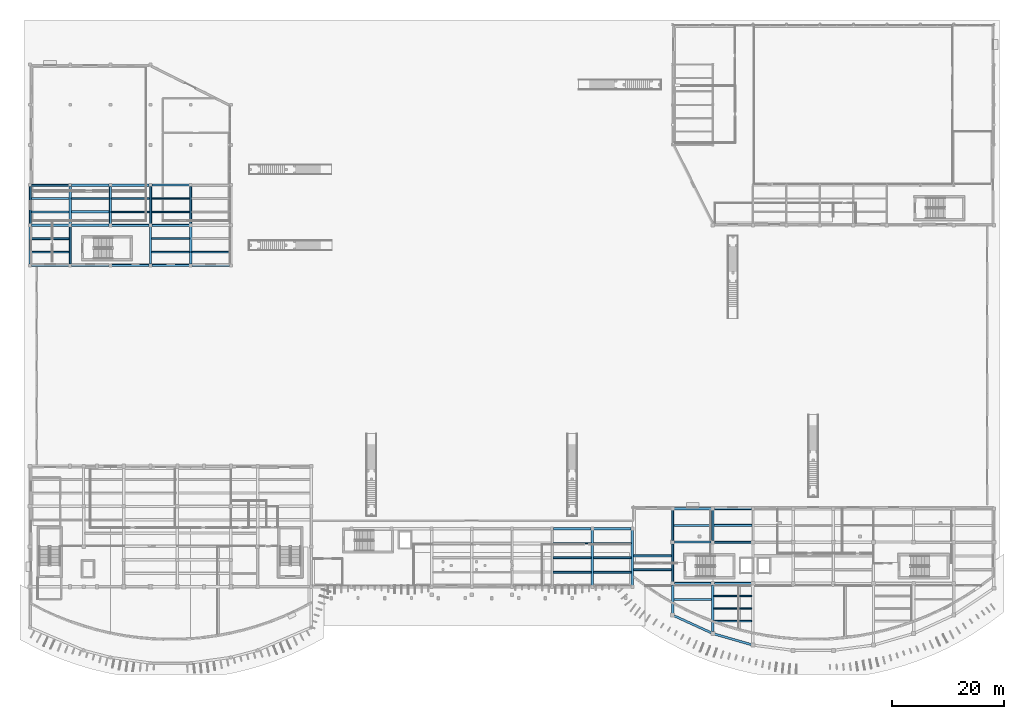
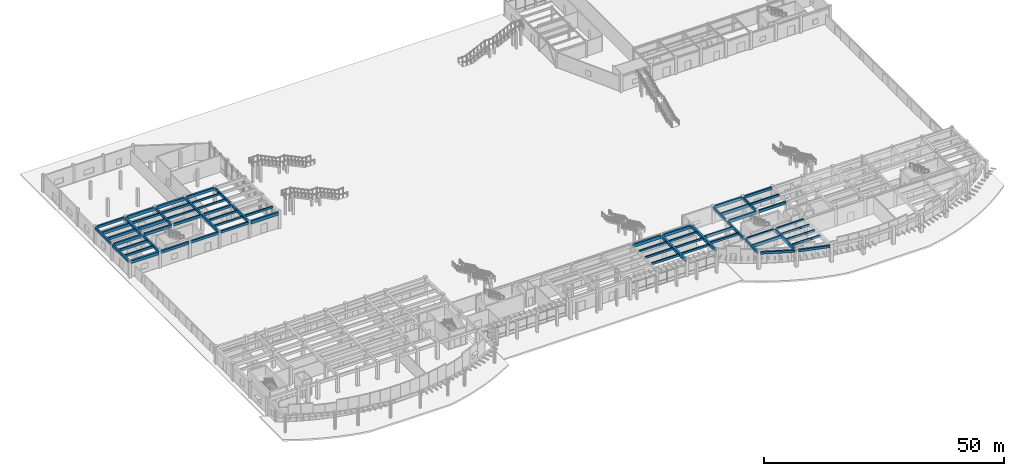
# One storey, part 14 of 58: 66 beams.
"""IFC4 building model written with IfcOpenShell, lengths in metres."""

from ifc_helpers import new_model, si_unit, direction, frame, origin, origin_2d, place, context, subcontext, project, spatial, rectangle, extrude, material, material_profile, profile_set, type_object, element, save


model = new_model("IFC4")

# Units and contexts
model_context = context("Model", 3, precision=1e-05, world=origin(), true_north=direction((0.0, 1.0)))
body_context = subcontext(model_context, "Body", "Model", "MODEL_VIEW")
ifc_project = project(units=[si_unit("LENGTHUNIT", "METRE"), si_unit("AREAUNIT", "SQUARE_METRE"), si_unit("VOLUMEUNIT", "CUBIC_METRE"), si_unit("PLANEANGLEUNIT", "RADIAN"), si_unit("MASSUNIT", "GRAM", prefix="KILO")], contexts=[model_context])

# Site, building, storey
site_placement = place(None, origin())
site = spatial("IfcSite", under=ifc_project, at=site_placement, CompositionType="ELEMENT")
building_placement = place(site_placement, origin())
building = spatial("IfcBuilding", under=site, at=building_placement, Name="Brisavento Harbour Community Centre", CompositionType="ELEMENT")
storey_placement = place(building_placement, origin())
storey = spatial("IfcBuildingStorey", under=building, at=storey_placement, Name="L00", CompositionType="ELEMENT", Elevation=0.0)

# Beams
ifc_material = material(Name="Concrete C35/45", Category="concrete")
ifc_material_profile_1 = material_profile(ifc_material, rectangle(XDim=0.25, YDim=0.449951171875, at=origin_2d()), Name="Concrete C35/45")
ifc_profile_set_1 = profile_set([ifc_material_profile_1], Name="Concrete C35/45")
beam_type_1 = type_object("IfcBeamType", Name="BM-JST-250x450", PredefinedType="JOIST", material=ifc_profile_set_1)
for number, where, z_axis, x_axis, name in (
    (1, (21.800048828125, 74.39990234375, 4.014892578125), (1.0, 0.0, 0.0), (0.0, 1.0, 0.0), "L00 secondary floor joist 0145"),
    (2, (93.77490234375, 22.199951171875, 4.014892578125), (1.0, 0.0, 0.0), (0.0, 1.0, 0.0), "L00 secondary floor joist 0178"),
):
    element("IfcBeam", number, at=place(storey_placement, frame(where, z_axis=z_axis, x_axis=x_axis)), inside=storey, type_object=beam_type_1, Name=name, PredefinedType="JOIST", context=body_context, shape_type="SweptSolid", body=[
        extrude(rectangle(XDim=0.25, YDim=0.449951171875, at=origin_2d()), origin(), (0.0, 0.0, 1.0), 6.800048828125),
    ])
ifc_material_profile_2 = material_profile(ifc_material, rectangle(XDim=0.260009765625, YDim=0.4599609375, at=origin_2d()), Name="Concrete C35/45")
ifc_profile_set_2 = profile_set([ifc_material_profile_2], Name="Concrete C35/45")
beam_type_2 = type_object("IfcBeamType", Name="BM-JST-260x460", PredefinedType="JOIST", material=ifc_profile_set_2)
for number, where, z_axis, x_axis, name in (
    (3, (14.574951171875, 81.60009765625, 4.010009765625), (1.0, 0.0, 0.0), (0.0, 1.0, 0.0), "L00 secondary floor joist 0137"),
    (4, (21.77490234375, 84.0, 4.010009765625), (1.0, 0.0, 0.0), (0.0, 1.0, 0.0), "L00 secondary floor joist 0148"),
):
    element("IfcBeam", number, at=place(storey_placement, frame(where, z_axis=z_axis, x_axis=x_axis)), inside=storey, type_object=beam_type_2, Name=name, PredefinedType="JOIST", context=body_context, shape_type="SweptSolid", body=[
        extrude(rectangle(XDim=0.260009765625, YDim=0.4599609375, at=origin_2d()), origin(), (0.0, 0.0, 1.0), 6.85009765625),
    ])
beam_1_placement = place(storey_placement, frame((101.02490234375, 22.199951171875, 4.010009765625), z_axis=(1.0, 0.0, 0.0), x_axis=(0.0, 1.0, 0.0)))
element("IfcBeam", 5, at=beam_1_placement, inside=storey, type_object=beam_type_2, Name="L00 secondary floor joist 0181", PredefinedType="JOIST", context=body_context, shape_type="SweptSolid", body=[
    extrude(rectangle(XDim=0.260009765625, YDim=0.4599609375, at=origin_2d()), origin(), (0.0, 0.0, 1.0), 6.75),
])
beam_2_placement = place(storey_placement, frame((122.60009765625, 12.75390625, 4.010009765625), z_axis=(1.0, 0.0, 0.0), x_axis=(0.0, 1.0, 0.0)))
element("IfcBeam", 6, at=beam_2_placement, inside=storey, type_object=beam_type_2, Name="L00 secondary floor joist 0192", PredefinedType="JOIST", context=body_context, shape_type="SweptSolid", body=[
    extrude(rectangle(XDim=0.260009765625, YDim=0.4599609375, at=origin_2d()), origin(), (0.0, 0.0, 1.0), 6.77490234375),
])
ifc_material_profile_3 = material_profile(ifc_material, rectangle(XDim=0.280029296875, YDim=0.47998046875, at=origin_2d()), Name="Concrete C35/45")
ifc_profile_set_3 = profile_set([ifc_material_profile_3], Name="Concrete C35/45")
beam_type_3 = type_object("IfcBeamType", Name="BM-JST-280x480", PredefinedType="JOIST", material=ifc_profile_set_3)
beam_3_placement = place(storey_placement, frame((21.77490234375, 81.60009765625, 4.0), z_axis=(1.0, 0.0, 0.0), x_axis=(0.0, 1.0, 0.0)))
element("IfcBeam", 7, at=beam_3_placement, inside=storey, type_object=beam_type_3, Name="L00 secondary floor joist 0147", PredefinedType="JOIST", context=body_context, shape_type="SweptSolid", body=[
    extrude(rectangle(XDim=0.280029296875, YDim=0.47998046875, at=origin_2d()), origin(), (0.0, 0.0, 1.0), 6.85009765625),
])
beam_4_placement = place(storey_placement, frame((101.02490234375, 19.60009765625, 4.0), z_axis=(1.0, 0.0, 0.0), x_axis=(0.0, 1.0, 0.0)))
element("IfcBeam", 8, at=beam_4_placement, inside=storey, type_object=beam_type_3, Name="L00 secondary floor joist 0180", PredefinedType="JOIST", context=body_context, shape_type="SweptSolid", body=[
    extrude(rectangle(XDim=0.280029296875, YDim=0.47998046875, at=origin_2d()), origin(), (0.0, 0.0, 1.0), 6.75),
])
beam_5_placement = place(storey_placement, frame((122.60009765625, 10.507568359375, 4.0), z_axis=(1.0, 0.0, 0.0), x_axis=(0.0, 1.0, 0.0)))
element("IfcBeam", 9, at=beam_5_placement, inside=storey, type_object=beam_type_3, Name="L00 secondary floor joist 0191", PredefinedType="JOIST", context=body_context, shape_type="SweptSolid", body=[
    extrude(rectangle(XDim=0.280029296875, YDim=0.47998046875, at=origin_2d()), origin(), (0.0, 0.0, 1.0), 6.77490234375),
])
ifc_material_profile_4 = material_profile(ifc_material, rectangle(XDim=0.280029296875, YDim=0.52001953125, at=origin_2d()), Name="Concrete C35/45")
ifc_profile_set_4 = profile_set([ifc_material_profile_4], Name="Concrete C35/45")
beam_type_4 = type_object("IfcBeamType", Name="BM-JST-280x520", PredefinedType="JOIST", material=ifc_profile_set_4)
beam_6_placement = place(storey_placement, frame((21.800048828125, 76.800048828125, 3.97998046875), z_axis=(1.0, 0.0, 0.0), x_axis=(0.0, 1.0, 0.0)))
element("IfcBeam", 10, at=beam_6_placement, inside=storey, type_object=beam_type_4, Name="L00 secondary floor joist 0146", PredefinedType="JOIST", context=body_context, shape_type="SweptSolid", body=[
    extrude(rectangle(XDim=0.280029296875, YDim=0.52001953125, at=origin_2d()), origin(), (0.0, 0.0, 1.0), 6.800048828125),
])
beam_7_placement = place(storey_placement, frame((101.02490234375, 17.0, 3.97998046875), z_axis=(1.0, 0.0, 0.0), x_axis=(0.0, 1.0, 0.0)))
element("IfcBeam", 11, at=beam_7_placement, inside=storey, type_object=beam_type_4, Name="L00 secondary floor joist 0179", PredefinedType="JOIST", context=body_context, shape_type="SweptSolid", body=[
    extrude(rectangle(XDim=0.280029296875, YDim=0.52001953125, at=origin_2d()), origin(), (0.0, 0.0, 1.0), 6.75),
])
beam_8_placement = place(storey_placement, frame((122.60009765625, 8.26123046875, 3.97998046875), z_axis=(1.0, 0.0, 0.0), x_axis=(0.0, 1.0, 0.0)))
element("IfcBeam", 12, at=beam_8_placement, inside=storey, type_object=beam_type_4, Name="L00 secondary floor joist 0190", PredefinedType="JOIST", context=body_context, shape_type="SweptSolid", body=[
    extrude(rectangle(XDim=0.280029296875, YDim=0.52001953125, at=origin_2d()), origin(), (0.0, 0.0, 1.0), 6.77490234375),
])
ifc_material_profile_5 = material_profile(ifc_material, rectangle(XDim=0.300048828125, YDim=0.5, at=origin_2d()), Name="Concrete C35/45")
ifc_profile_set_5 = profile_set([ifc_material_profile_5], Name="Concrete C35/45")
beam_type_5 = type_object("IfcBeamType", Name="BM-JST-300x500", PredefinedType="JOIST", material=ifc_profile_set_5)
for number, where, z_axis, x_axis, name in (
    (13, (29.0, 74.39990234375, 3.989990234375), (1.0, 0.0, 0.0), (0.0, 1.0, 0.0), "L00 secondary floor joist 0155"),
    (14, (93.77490234375, 19.60009765625, 3.989990234375), (1.0, 0.0, 0.0), (0.0, 1.0, 0.0), "L00 secondary floor joist 0177"),
):
    element("IfcBeam", number, at=place(storey_placement, frame(where, z_axis=z_axis, x_axis=x_axis)), inside=storey, type_object=beam_type_5, Name=name, PredefinedType="JOIST", context=body_context, shape_type="SweptSolid", body=[
        extrude(rectangle(XDim=0.300048828125, YDim=0.5, at=origin_2d()), origin(), (0.0, 0.0, 1.0), 6.800048828125),
    ])
ifc_material_profile_6 = material_profile(ifc_material, rectangle(XDim=0.300048828125, YDim=0.550048828125, at=origin_2d()), Name="Concrete C35/45")
ifc_profile_set_6 = profile_set([ifc_material_profile_6], Name="Concrete C35/45")
beam_type_6 = type_object("IfcBeamType", Name="BM-JST-300x550", PredefinedType="JOIST", material=ifc_profile_set_6)
for number, where, z_axis, x_axis, name in (
    (15, (7.425048828125, 84.0, 3.965087890625), (1.0, 0.0, 0.0), (0.0, 1.0, 0.0), "L00 secondary floor joist 0132"),
    (16, (93.77490234375, 17.0, 3.965087890625), (1.0, 0.0, 0.0), (0.0, 1.0, 0.0), "L00 secondary floor joist 0176"),
):
    element("IfcBeam", number, at=place(storey_placement, frame(where, z_axis=z_axis, x_axis=x_axis)), inside=storey, type_object=beam_type_6, Name=name, PredefinedType="JOIST", context=body_context, shape_type="SweptSolid", body=[
        extrude(rectangle(XDim=0.300048828125, YDim=0.550048828125, at=origin_2d()), origin(), (0.0, 0.0, 1.0), 6.800048828125),
    ])
ifc_material_profile_7 = material_profile(ifc_material, rectangle(XDim=0.320068359375, YDim=0.56005859375, at=origin_2d()), Name="Concrete C35/45")
ifc_profile_set_7 = profile_set([ifc_material_profile_7], Name="Concrete C35/45")
beam_type_7 = type_object("IfcBeamType", Name="BM-JST-320x560", PredefinedType="JOIST", material=ifc_profile_set_7)
beam_9_placement = place(storey_placement, frame((0.199951171875, 74.39990234375, 3.9599609375), z_axis=(1.0, 0.0, 0.0), x_axis=(0.0, 1.0, 0.0)))
element("IfcBeam", 17, at=beam_9_placement, inside=storey, type_object=beam_type_7, Name="L00 secondary floor joist 0127", PredefinedType="JOIST", context=body_context, shape_type="SweptSolid", body=[
    extrude(rectangle(XDim=0.320068359375, YDim=0.56005859375, at=origin_2d()), origin(), (0.0, 0.0, 1.0), 6.824951171875),
])
beam_10_placement = place(storey_placement, frame((14.574951171875, 84.0, 3.9599609375), z_axis=(1.0, 0.0, 0.0), x_axis=(0.0, 1.0, 0.0)))
element("IfcBeam", 18, at=beam_10_placement, inside=storey, type_object=beam_type_7, Name="L00 secondary floor joist 0138", PredefinedType="JOIST", context=body_context, shape_type="SweptSolid", body=[
    extrude(rectangle(XDim=0.320068359375, YDim=0.56005859375, at=origin_2d()), origin(), (0.0, 0.0, 1.0), 6.85009765625),
])
beam_11_placement = place(storey_placement, frame((108.22509765625, 17.466796875, 3.9599609375), z_axis=(1.0, 0.0, 0.0), x_axis=(0.0, 1.0, 0.0)))
element("IfcBeam", 19, at=beam_11_placement, inside=storey, type_object=beam_type_7, Name="L00 secondary floor joist 0182", PredefinedType="JOIST", context=body_context, shape_type="SweptSolid", body=[
    extrude(rectangle(XDim=0.320068359375, YDim=0.56005859375, at=origin_2d()), origin(), (0.0, 0.0, 1.0), 6.7998046875),
])
beam_12_placement = place(storey_placement, frame((122.574951171875, 25.39990234375, 3.9599609375), z_axis=(1.0, 0.0, 0.0), x_axis=(0.0, 1.0, 0.0)))
element("IfcBeam", 20, at=beam_12_placement, inside=storey, type_object=beam_type_7, Name="L00 secondary floor joist 0193", PredefinedType="JOIST", context=body_context, shape_type="SweptSolid", body=[
    extrude(rectangle(XDim=0.320068359375, YDim=0.56005859375, at=origin_2d()), origin(), (0.0, 0.0, 1.0), 6.85009765625),
])
ifc_material_profile_8 = material_profile(ifc_material, rectangle(XDim=0.320068359375, YDim=0.6201171875, at=origin_2d()), Name="Concrete C35/45")
ifc_profile_set_8 = profile_set([ifc_material_profile_8], Name="Concrete C35/45")
beam_type_8 = type_object("IfcBeamType", Name="BM-JST-320x620", PredefinedType="JOIST", material=ifc_profile_set_8)
beam_13_placement = place(storey_placement, frame((0.199951171875, 76.800048828125, 3.929931640625), z_axis=(1.0, 0.0, 0.0), x_axis=(0.0, 1.0, 0.0)))
element("IfcBeam", 21, at=beam_13_placement, inside=storey, type_object=beam_type_8, Name="L00 secondary floor joist 0128", PredefinedType="JOIST", context=body_context, shape_type="SweptSolid", body=[
    extrude(rectangle(XDim=0.320068359375, YDim=0.6201171875, at=origin_2d()), origin(), (0.0, 0.0, 1.0), 6.824951171875),
])
beam_14_placement = place(storey_placement, frame((108.22509765625, 19.933349609375, 3.929931640625), z_axis=(1.0, 0.0, 0.0), x_axis=(0.0, 1.0, 0.0)))
element("IfcBeam", 22, at=beam_14_placement, inside=storey, type_object=beam_type_8, Name="L00 secondary floor joist 0183", PredefinedType="JOIST", context=body_context, shape_type="SweptSolid", body=[
    extrude(rectangle(XDim=0.320068359375, YDim=0.6201171875, at=origin_2d()), origin(), (0.0, 0.0, 1.0), 6.7998046875),
])
ifc_material_profile_9 = material_profile(ifc_material, rectangle(XDim=0.360107421875, YDim=0.679931640625, at=origin_2d()), Name="Concrete C35/45")
ifc_profile_set_9 = profile_set([ifc_material_profile_9], Name="Concrete C35/45")
beam_type_9 = type_object("IfcBeamType", Name="BM-JST-360x680", PredefinedType="JOIST", material=ifc_profile_set_9)
for number, where, z_axis, x_axis, name in (
    (23, (0.175048828125, 81.60009765625, 3.89990234375), (1.0, 0.0, 0.0), (0.0, 1.0, 0.0), "L00 secondary floor joist 0129"),
    (24, (115.39990234375, 12.156982421875, 3.89990234375), (1.0, 0.0, 0.0), (0.0, 1.0, 0.0), "L00 secondary floor joist 0184"),
):
    element("IfcBeam", number, at=place(storey_placement, frame(where, z_axis=z_axis, x_axis=x_axis)), inside=storey, type_object=beam_type_9, Name=name, PredefinedType="JOIST", context=body_context, shape_type="SweptSolid", body=[
        extrude(rectangle(XDim=0.360107421875, YDim=0.679931640625, at=origin_2d()), origin(), (0.0, 0.0, 1.0), 6.800048828125),
    ])
ifc_material_profile_10 = material_profile(ifc_material, rectangle(XDim=0.3798828125, YDim=0.719970703125, at=origin_2d()), Name="Concrete C35/45")
ifc_profile_set_10 = profile_set([ifc_material_profile_10], Name="Concrete C35/45")
beam_type_10 = type_object("IfcBeamType", Name="BM-JST-380x720", PredefinedType="JOIST", material=ifc_profile_set_10)
beam_15_placement = place(storey_placement, frame((0.175048828125, 84.0, 3.8798828125), z_axis=(1.0, 0.0, 0.0), x_axis=(0.0, 1.0, 0.0)))
element("IfcBeam", 25, at=beam_15_placement, inside=storey, type_object=beam_type_10, Name="L00 secondary floor joist 0130", PredefinedType="JOIST", context=body_context, shape_type="SweptSolid", body=[
    extrude(rectangle(XDim=0.3798828125, YDim=0.719970703125, at=origin_2d()), origin(), (0.0, 0.0, 1.0), 6.800048828125),
])
beam_16_placement = place(storey_placement, frame((115.375, 25.39990234375, 3.8798828125), z_axis=(1.0, 0.0, 0.0), x_axis=(0.0, 1.0, 0.0)))
element("IfcBeam", 26, at=beam_16_placement, inside=storey, type_object=beam_type_10, Name="L00 secondary floor joist 0185", PredefinedType="JOIST", context=body_context, shape_type="SweptSolid", body=[
    extrude(rectangle(XDim=0.3798828125, YDim=0.719970703125, at=origin_2d()), origin(), (0.0, 0.0, 1.0), 6.85009765625),
])
ifc_material_profile_11 = material_profile(ifc_material, rectangle(XDim=0.419921875, YDim=0.760009765625, at=origin_2d()), Name="Concrete C35/45")
ifc_profile_set_11 = profile_set([ifc_material_profile_11], Name="Concrete C35/45")
beam_type_11 = type_object("IfcBeamType", Name="BM-JST-420x760", PredefinedType="JOIST", material=ifc_profile_set_11)
beam_17_placement = place(storey_placement, frame((7.425048828125, 81.60009765625, 3.860107421875), z_axis=(1.0, 0.0, 0.0), x_axis=(0.0, 1.0, 0.0)))
element("IfcBeam", 27, at=beam_17_placement, inside=storey, type_object=beam_type_11, Name="L00 secondary floor joist 0131", PredefinedType="JOIST", context=body_context, shape_type="SweptSolid", body=[
    extrude(rectangle(XDim=0.419921875, YDim=0.760009765625, at=origin_2d()), origin(), (0.0, 0.0, 1.0), 6.800048828125),
])
ifc_material_profile_12 = material_profile(ifc_material, rectangle(XDim=0.35009765625, YDim=0.60009765625, at=origin_2d()), Name="Concrete C35/45")
ifc_profile_set_12 = profile_set([ifc_material_profile_12], Name="Concrete C35/45")
beam_type_12 = type_object("IfcBeamType", Name="BM-RC-350x600", PredefinedType="BEAM", material=ifc_profile_set_12)
beam_18_placement = place(storey_placement, frame((122.695068359375, 15.0, 3.93994140625), z_axis=(1.0, 0.0, 0.0), x_axis=(0.0, 1.0, 0.0)))
element("IfcBeam", 28, at=beam_18_placement, inside=storey, type_object=beam_type_12, Name="L00 primary girder X0244", PredefinedType="BEAM", context=body_context, shape_type="SweptSolid", body=[
    extrude(rectangle(XDim=0.35009765625, YDim=0.60009765625, at=origin_2d()), origin(), (0.0, 0.0, 1.0), 6.60986328125),
])
for number, where, z_axis, x_axis, name in (
    (29, (21.844970703125, 72.0, 3.93994140625), (1.0, 0.0, 0.0), (0.0, 1.0, 0.0), "L00 primary girder X0294"),
    (30, (21.844970703125, 79.199951171875, 3.93994140625), (1.0, 0.0, 0.0), (0.0, 1.0, 0.0), "L00 primary girder X0299"),
    (31, (0.2451171875, 86.39990234375, 3.93994140625), (1.0, 0.0, 0.0), (0.0, 1.0, 0.0), "L00 primary girder X0309"),
    (32, (7.199951171875, 72.2451171875, 3.93994140625), (0.0, 1.0, 0.0), (-1.0, 0.0, 0.0), "L00 primary girder Y0329"),
):
    element("IfcBeam", number, at=place(storey_placement, frame(where, z_axis=z_axis, x_axis=x_axis)), inside=storey, type_object=beam_type_12, Name=name, PredefinedType="BEAM", context=body_context, shape_type="SweptSolid", body=[
        extrude(rectangle(XDim=0.35009765625, YDim=0.60009765625, at=origin_2d()), origin(), (0.0, 0.0, 1.0), 6.7099609375),
    ])
beam_19_placement = place(storey_placement, frame((115.199951171875, 22.695068359375, 3.93994140625), z_axis=(0.0, 1.0, 0.0), x_axis=(-1.0, 0.0, 0.0)))
element("IfcBeam", 33, at=beam_19_placement, inside=storey, type_object=beam_type_12, Name="L00 primary girder Y0364", PredefinedType="BEAM", context=body_context, shape_type="SweptSolid", body=[
    extrude(rectangle(XDim=0.35009765625, YDim=0.60009765625, at=origin_2d()), origin(), (0.0, 0.0, 1.0), 5.434814453125),
])
ifc_material_profile_13 = material_profile(ifc_material, rectangle(XDim=0.35009765625, YDim=0.64990234375, at=origin_2d()), Name="Concrete C35/45")
ifc_profile_set_13 = profile_set([ifc_material_profile_13], Name="Concrete C35/45")
beam_type_13 = type_object("IfcBeamType", Name="BM-RC-350x650", PredefinedType="BEAM", material=ifc_profile_set_13)
for number, where, z_axis, x_axis, name in (
    (34, (115.4951171875, 15.0, 3.9150390625), (1.0, 0.0, 0.0), (0.0, 1.0, 0.0), "L00 primary girder X0243"),
    (35, (122.695068359375, 22.39990234375, 3.9150390625), (1.0, 0.0, 0.0), (0.0, 1.0, 0.0), "L00 primary girder X0253"),
):
    element("IfcBeam", number, at=place(storey_placement, frame(where, z_axis=z_axis, x_axis=x_axis)), inside=storey, type_object=beam_type_13, Name=name, PredefinedType="BEAM", context=body_context, shape_type="SweptSolid", body=[
        extrude(rectangle(XDim=0.35009765625, YDim=0.64990234375, at=origin_2d()), origin(), (0.0, 0.0, 1.0), 6.60986328125),
    ])
beam_20_placement = place(storey_placement, frame((122.669921875, 28.39990234375, 3.9150390625), z_axis=(1.0, 0.0, 0.0), x_axis=(0.0, 1.0, 0.0)))
element("IfcBeam", 36, at=beam_20_placement, inside=storey, type_object=beam_type_13, Name="L00 primary girder X0268", PredefinedType="BEAM", context=body_context, shape_type="SweptSolid", body=[
    extrude(rectangle(XDim=0.35009765625, YDim=0.64990234375, at=origin_2d()), origin(), (0.0, 0.0, 1.0), 6.66015625),
])
for number, where, z_axis, x_axis, name in (
    (37, (14.64501953125, 72.0, 3.9150390625), (1.0, 0.0, 0.0), (0.0, 1.0, 0.0), "L00 primary girder X0293"),
    (38, (14.64501953125, 79.199951171875, 3.9150390625), (1.0, 0.0, 0.0), (0.0, 1.0, 0.0), "L00 primary girder X0298"),
    (39, (0.0, 79.445068359375, 3.9150390625), (0.0, 1.0, 0.0), (-1.0, 0.0, 0.0), "L00 primary girder Y0328"),
    (40, (14.39990234375, 79.445068359375, 3.9150390625), (0.0, 1.0, 0.0), (-1.0, 0.0, 0.0), "L00 primary girder Y0333"),
    (41, (21.60009765625, 79.445068359375, 3.9150390625), (0.0, 1.0, 0.0), (-1.0, 0.0, 0.0), "L00 primary girder Y0338"),
    (42, (28.800048828125, 79.445068359375, 3.9150390625), (0.0, 1.0, 0.0), (-1.0, 0.0, 0.0), "L00 primary girder Y0343"),
):
    element("IfcBeam", number, at=place(storey_placement, frame(where, z_axis=z_axis, x_axis=x_axis)), inside=storey, type_object=beam_type_13, Name=name, PredefinedType="BEAM", context=body_context, shape_type="SweptSolid", body=[
        extrude(rectangle(XDim=0.35009765625, YDim=0.64990234375, at=origin_2d()), origin(), (0.0, 0.0, 1.0), 6.7099609375),
    ])
beam_21_placement = place(storey_placement, frame((115.199951171875, 15.294921875, 3.9150390625), z_axis=(0.0, 1.0, 0.0), x_axis=(-1.0, 0.0, 0.0)))
element("IfcBeam", 43, at=beam_21_placement, inside=storey, type_object=beam_type_13, Name="L00 primary girder Y0363", PredefinedType="BEAM", context=body_context, shape_type="SweptSolid", body=[
    extrude(rectangle(XDim=0.35009765625, YDim=0.64990234375, at=origin_2d()), origin(), (0.0, 0.0, 1.0), 6.81005859375),
])
beam_22_placement = place(storey_placement, frame((122.39990234375, 22.695068359375, 3.9150390625), z_axis=(0.0, 1.0, 0.0), x_axis=(-1.0, 0.0, 0.0)))
element("IfcBeam", 44, at=beam_22_placement, inside=storey, type_object=beam_type_13, Name="L00 primary girder Y0368", PredefinedType="BEAM", context=body_context, shape_type="SweptSolid", body=[
    extrude(rectangle(XDim=0.35009765625, YDim=0.64990234375, at=origin_2d()), origin(), (0.0, 0.0, 1.0), 5.434814453125),
])
ifc_material_profile_14 = material_profile(ifc_material, rectangle(XDim=0.39990234375, YDim=0.699951171875, at=origin_2d()), Name="Concrete C35/45")
ifc_profile_set_14 = profile_set([ifc_material_profile_14], Name="Concrete C35/45")
beam_type_14 = type_object("IfcBeamType", Name="BM-RC-400x700", PredefinedType="BEAM", material=ifc_profile_set_14)
beam_23_placement = place(storey_placement, frame((115.4951171875, 22.39990234375, 3.889892578125), z_axis=(1.0, 0.0, 0.0), x_axis=(0.0, 1.0, 0.0)))
element("IfcBeam", 45, at=beam_23_placement, inside=storey, type_object=beam_type_14, Name="L00 primary girder X0252", PredefinedType="BEAM", context=body_context, shape_type="SweptSolid", body=[
    extrude(rectangle(XDim=0.39990234375, YDim=0.699951171875, at=origin_2d()), origin(), (0.0, 0.0, 1.0), 6.60986328125),
])
beam_24_placement = place(storey_placement, frame((115.469970703125, 28.39990234375, 3.889892578125), z_axis=(1.0, 0.0, 0.0), x_axis=(0.0, 1.0, 0.0)))
element("IfcBeam", 46, at=beam_24_placement, inside=storey, type_object=beam_type_14, Name="L00 primary girder X0267", PredefinedType="BEAM", context=body_context, shape_type="SweptSolid", body=[
    extrude(rectangle(XDim=0.39990234375, YDim=0.699951171875, at=origin_2d()), origin(), (0.0, 0.0, 1.0), 6.659912109375),
])
for number, where, z_axis, x_axis, name in (
    (47, (7.445068359375, 72.0, 3.889892578125), (1.0, 0.0, 0.0), (0.0, 1.0, 0.0), "L00 primary girder X0292"),
    (48, (7.445068359375, 79.199951171875, 3.889892578125), (1.0, 0.0, 0.0), (0.0, 1.0, 0.0), "L00 primary girder X0297"),
    (49, (21.844970703125, 86.39990234375, 3.889892578125), (1.0, 0.0, 0.0), (0.0, 1.0, 0.0), "L00 primary girder X0312"),
    (50, (0.0, 72.2451171875, 3.889892578125), (0.0, 1.0, 0.0), (-1.0, 0.0, 0.0), "L00 primary girder Y0327"),
    (51, (21.60009765625, 72.2451171875, 3.889892578125), (0.0, 1.0, 0.0), (-1.0, 0.0, 0.0), "L00 primary girder Y0337"),
    (52, (28.800048828125, 72.2451171875, 3.889892578125), (0.0, 1.0, 0.0), (-1.0, 0.0, 0.0), "L00 primary girder Y0342"),
):
    element("IfcBeam", number, at=place(storey_placement, frame(where, z_axis=z_axis, x_axis=x_axis)), inside=storey, type_object=beam_type_14, Name=name, PredefinedType="BEAM", context=body_context, shape_type="SweptSolid", body=[
        extrude(rectangle(XDim=0.39990234375, YDim=0.699951171875, at=origin_2d()), origin(), (0.0, 0.0, 1.0), 6.7099609375),
    ])
beam_25_placement = place(storey_placement, frame((115.199951171875, 9.634033203125, 3.889892578125), z_axis=(0.0, 1.0, 0.0), x_axis=(-1.0, 0.0, 0.0)))
element("IfcBeam", 53, at=beam_25_placement, inside=storey, type_object=beam_type_14, Name="L00 primary girder Y0362", PredefinedType="BEAM", context=body_context, shape_type="SweptSolid", body=[
    extrude(rectangle(XDim=0.39990234375, YDim=0.699951171875, at=origin_2d()), origin(), (0.0, 0.0, 1.0), 5.071044921875),
])
beam_26_placement = place(storey_placement, frame((122.39990234375, 6.3349609375, 3.889892578125), z_axis=(0.0, 1.0, 0.0), x_axis=(-1.0, 0.0, 0.0)))
element("IfcBeam", 54, at=beam_26_placement, inside=storey, type_object=beam_type_14, Name="L00 primary girder Y0367", PredefinedType="BEAM", context=body_context, shape_type="SweptSolid", body=[
    extrude(rectangle(XDim=0.39990234375, YDim=0.699951171875, at=origin_2d()), origin(), (0.0, 0.0, 1.0), 8.3701171875),
])
ifc_material_profile_15 = material_profile(ifc_material, rectangle(XDim=0.449951171875, YDim=0.75, at=origin_2d()), Name="Concrete C35/45")
ifc_profile_set_15 = profile_set([ifc_material_profile_15], Name="Concrete C35/45")
beam_type_15 = type_object("IfcBeamType", Name="BM-RC-450x750", PredefinedType="BEAM", material=ifc_profile_set_15)
for number, where, z_axis, x_axis, name in (
    (55, (101.044921875, 24.800048828125, 3.864990234375), (1.0, 0.0, 0.0), (0.0, 1.0, 0.0), "L00 primary girder X0266"),
    (56, (0.2451171875, 72.0, 3.864990234375), (1.0, 0.0, 0.0), (0.0, 1.0, 0.0), "L00 primary girder X0291"),
    (57, (0.2451171875, 79.199951171875, 3.864990234375), (1.0, 0.0, 0.0), (0.0, 1.0, 0.0), "L00 primary girder X0296"),
    (58, (14.64501953125, 86.39990234375, 3.864990234375), (1.0, 0.0, 0.0), (0.0, 1.0, 0.0), "L00 primary girder X0311"),
):
    element("IfcBeam", number, at=place(storey_placement, frame(where, z_axis=z_axis, x_axis=x_axis)), inside=storey, type_object=beam_type_15, Name=name, PredefinedType="BEAM", context=body_context, shape_type="SweptSolid", body=[
        extrude(rectangle(XDim=0.449951171875, YDim=0.75, at=origin_2d()), origin(), (0.0, 0.0, 1.0), 6.7099609375),
    ])
beam_27_placement = place(storey_placement, frame((108.0, 14.64501953125, 3.864990234375), z_axis=(0.0, 1.0, 0.0), x_axis=(-1.0, 0.0, 0.0)))
element("IfcBeam", 59, at=beam_27_placement, inside=storey, type_object=beam_type_15, Name="L00 primary girder Y0361", PredefinedType="BEAM", context=body_context, shape_type="SweptSolid", body=[
    extrude(rectangle(XDim=0.449951171875, YDim=0.75, at=origin_2d()), origin(), (0.0, 0.0, 1.0), 9.909912109375),
])
ifc_material_profile_16 = material_profile(ifc_material, rectangle(XDim=0.449951171875, YDim=0.800048828125, at=origin_2d()), Name="Concrete C35/45")
ifc_profile_set_16 = profile_set([ifc_material_profile_16], Name="Concrete C35/45")
beam_type_16 = type_object("IfcBeamType", Name="BM-RC-450x800", PredefinedType="BEAM", material=ifc_profile_set_16)
for number, where, z_axis, x_axis, name in (
    (60, (93.844970703125, 24.800048828125, 3.840087890625), (1.0, 0.0, 0.0), (0.0, 1.0, 0.0), "L00 primary girder X0265"),
    (61, (29.044921875, 72.0, 3.840087890625), (1.0, 0.0, 0.0), (0.0, 1.0, 0.0), "L00 primary girder X0295"),
    (62, (7.445068359375, 86.39990234375, 3.840087890625), (1.0, 0.0, 0.0), (0.0, 1.0, 0.0), "L00 primary girder X0310"),
    (63, (7.199951171875, 79.445068359375, 3.840087890625), (0.0, 1.0, 0.0), (-1.0, 0.0, 0.0), "L00 primary girder Y0330"),
):
    element("IfcBeam", number, at=place(storey_placement, frame(where, z_axis=z_axis, x_axis=x_axis)), inside=storey, type_object=beam_type_16, Name=name, PredefinedType="BEAM", context=body_context, shape_type="SweptSolid", body=[
        extrude(rectangle(XDim=0.449951171875, YDim=0.800048828125, at=origin_2d()), origin(), (0.0, 0.0, 1.0), 6.7099609375),
    ])
beam_28_placement = place(storey_placement, frame((100.800048828125, 14.64501953125, 3.840087890625), z_axis=(0.0, 1.0, 0.0), x_axis=(-1.0, 0.0, 0.0)))
element("IfcBeam", 64, at=beam_28_placement, inside=storey, type_object=beam_type_16, Name="L00 primary girder Y0360", PredefinedType="BEAM", context=body_context, shape_type="SweptSolid", body=[
    extrude(rectangle(XDim=0.449951171875, YDim=0.800048828125, at=origin_2d()), origin(), (0.0, 0.0, 1.0), 9.909912109375),
])
ifc_material_profile_17 = material_profile(ifc_material, rectangle(XDim=0.39990234375, YDim=0.60009765625, at=origin_2d()), Name="Concrete C35/45")
ifc_profile_set_17 = profile_set([ifc_material_profile_17], Name="Concrete C35/45")
beam_type_17 = type_object("IfcBeamType", Name="BM-SPN-400x600", PredefinedType="SPANDREL", material=ifc_profile_set_17)
beam_29_placement = place(storey_placement, frame((115.490966796875, 9.1806640625, 3.93994140625), z_axis=(0.909109276526, -0.416557707088, 0.0), x_axis=(0.416557707088, 0.909109276526, 0.0)))
element("IfcBeam", 65, at=beam_29_placement, inside=storey, type_object=beam_type_17, Name="L00 curved perimeter spandrel 0399", PredefinedType="SPANDREL", context=body_context, shape_type="SweptSolid", body=[
    extrude(rectangle(XDim=0.39990234375, YDim=0.60009765625, at=origin_2d()), origin(), (0.0, 0.0, 1.0), 7.27978515625),
])
beam_30_placement = place(storey_placement, frame((122.70751953125, 5.926025390625, 3.93994140625), z_axis=(0.960684842257, -0.277641196255, 0.0), x_axis=(0.277641196255, 0.960684842257, 0.0)))
element("IfcBeam", 66, at=beam_30_placement, inside=storey, type_object=beam_type_17, Name="L00 curved perimeter spandrel 0400", PredefinedType="SPANDREL", context=body_context, shape_type="SweptSolid", body=[
    extrude(rectangle(XDim=0.39990234375, YDim=0.60009765625, at=origin_2d()), origin(), (0.0, 0.0, 1.0), 6.8544921875),
])

save(model, "model.ifc")
